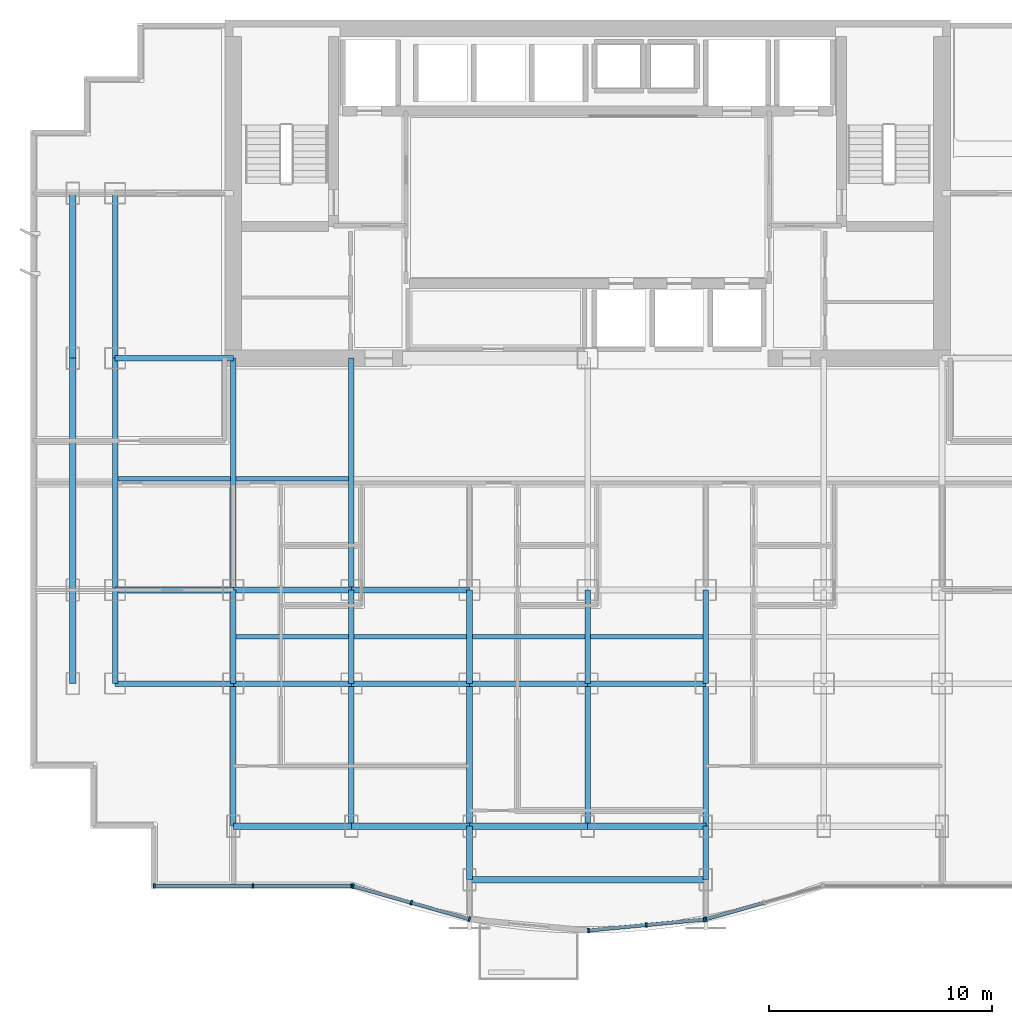
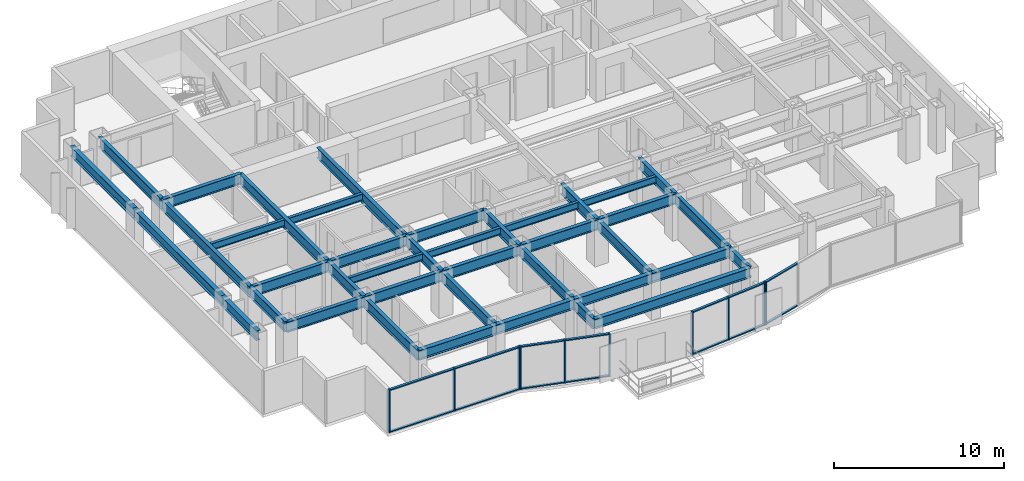
# One storey, part 2 of 9: 40 beams, 24 members, 4 elements without a shape of their own.
"""IFC4 building model written with IfcOpenShell, lengths in metres."""

from ifc_helpers import new_model, si_unit, direction, frame, origin, origin_2d, place, context, subcontext, project, spatial, rectangle, i_section, extrude, source, transform, mapped, material, layer, layer_set, material_profile, profile_set, type_object, element, aggregate, save


model = new_model("IFC4")

# Units and contexts
model_context = context("Model", 3, precision=1e-05, world=origin(), true_north=direction((0.0, 1.0)))
body_context = subcontext(model_context, "Body", "Model", "MODEL_VIEW")
ifc_project = project(units=[si_unit("LENGTHUNIT", "METRE"), si_unit("AREAUNIT", "SQUARE_METRE"), si_unit("VOLUMEUNIT", "CUBIC_METRE"), si_unit("PLANEANGLEUNIT", "RADIAN"), si_unit("MASSUNIT", "GRAM", prefix="KILO")], contexts=[model_context])

# Site, building, storey
site_placement = place(None, origin())
site = spatial("IfcSite", under=ifc_project, at=site_placement, CompositionType="ELEMENT")
building_placement = place(site_placement, origin())
building = spatial("IfcBuilding", under=site, at=building_placement, Name="Qianlan Lanfeng Residences", CompositionType="ELEMENT")
storey_placement = place(building_placement, frame((0.0, 0.0, 108.10009765625)))
storey = spatial("IfcBuildingStorey", under=building, at=storey_placement, Name="L29", CompositionType="ELEMENT", Elevation=108.10009765625)

# Beams
ifc_material_1 = material(Name="Steel SN490B", Category="steel")
ifc_material_profile_1 = material_profile(ifc_material_1, i_section(OverallWidth=0.25, OverallDepth=0.75, WebThickness=0.013916015625, FlangeThickness=0.02490234375, at=origin_2d()), Name="H 750x250x14x25")
ifc_profile_set_1 = profile_set([ifc_material_profile_1], Name="Steel SN490B")
beam_type_1 = type_object("IfcBeamType", Name="G-850", PredefinedType="BEAM", material=ifc_profile_set_1)
beam_1_placement = place(storey_placement, frame((5.300048828125, 10.60009765625, 2.71484375), z_axis=(1.0, 0.0, 0.0), x_axis=(0.0, 1.0, 0.0)))
element("IfcBeam", 1, at=beam_1_placement, inside=storey, type_object=beam_type_1, Name="Structural beam G-850", PredefinedType="BEAM", context=body_context, shape_type="SweptSolid", body=[
    extrude(i_section(OverallWidth=0.25, OverallDepth=0.75, WebThickness=0.013916015625, FlangeThickness=0.02490234375, at=origin_2d()), origin(), (0.0, 0.0, 1.0), 5.300048828125),
])
beam_2_placement = place(storey_placement, frame((10.60009765625, 10.60009765625, 2.71484375), z_axis=(1.0, 0.0, 0.0), x_axis=(0.0, 1.0, 0.0)))
element("IfcBeam", 2, at=beam_2_placement, inside=storey, type_object=beam_type_1, Name="Structural beam G-850", PredefinedType="BEAM", context=body_context, shape_type="SweptSolid", body=[
    extrude(i_section(OverallWidth=0.25, OverallDepth=0.75, WebThickness=0.013916015625, FlangeThickness=0.02490234375, at=origin_2d()), origin(), (0.0, 0.0, 1.0), 5.2998046875),
])
for number, where, z_axis, x_axis, name in (
    (3, (15.89990234375, 10.60009765625, 2.71484375), (1.0, 0.0, 0.0), (0.0, 1.0, 0.0), "Structural beam G-850"),
    (4, (21.199951171875, 10.60009765625, 2.71484375), (1.0, 0.0, 0.0), (0.0, 1.0, 0.0), "Structural beam G-850"),
    (5, (26.5, 10.60009765625, 2.71484375), (1.0, 0.0, 0.0), (0.0, 1.0, 0.0), "Structural beam G-850"),
    (6, (5.300048828125, 14.800048828125, 2.71484375), (1.0, 0.0, 0.0), (0.0, 1.0, 0.0), "Structural beam G-850"),
):
    element("IfcBeam", number, at=place(storey_placement, frame(where, z_axis=z_axis, x_axis=x_axis)), inside=storey, type_object=beam_type_1, Name=name, PredefinedType="BEAM", context=body_context, shape_type="SweptSolid", body=[
        extrude(i_section(OverallWidth=0.25, OverallDepth=0.75, WebThickness=0.013916015625, FlangeThickness=0.02490234375, at=origin_2d()), origin(), (0.0, 0.0, 1.0), 5.300048828125),
    ])
beam_3_placement = place(storey_placement, frame((10.60009765625, 14.800048828125, 2.71484375), z_axis=(1.0, 0.0, 0.0), x_axis=(0.0, 1.0, 0.0)))
element("IfcBeam", 7, at=beam_3_placement, inside=storey, type_object=beam_type_1, Name="Structural beam G-850", PredefinedType="BEAM", context=body_context, shape_type="SweptSolid", body=[
    extrude(i_section(OverallWidth=0.25, OverallDepth=0.75, WebThickness=0.013916015625, FlangeThickness=0.02490234375, at=origin_2d()), origin(), (0.0, 0.0, 1.0), 5.2998046875),
])
for number, where, z_axis, x_axis, name in (
    (8, (15.89990234375, 14.800048828125, 2.71484375), (1.0, 0.0, 0.0), (0.0, 1.0, 0.0), "Structural beam G-850"),
    (9, (5.300048828125, 25.199951171875, 2.71484375), (1.0, 0.0, 0.0), (0.0, 1.0, 0.0), "Structural beam G-850"),
):
    element("IfcBeam", number, at=place(storey_placement, frame(where, z_axis=z_axis, x_axis=x_axis)), inside=storey, type_object=beam_type_1, Name=name, PredefinedType="BEAM", context=body_context, shape_type="SweptSolid", body=[
        extrude(i_section(OverallWidth=0.25, OverallDepth=0.75, WebThickness=0.013916015625, FlangeThickness=0.02490234375, at=origin_2d()), origin(), (0.0, 0.0, 1.0), 5.300048828125),
    ])
beam_4_placement = place(storey_placement, frame((5.300048828125, 10.60009765625, 2.71484375), z_axis=(0.0, 1.0, 0.0), x_axis=(-1.0, 0.0, 0.0)))
element("IfcBeam", 10, at=beam_4_placement, inside=storey, type_object=beam_type_1, Name="Structural beam G-850", PredefinedType="BEAM", context=body_context, shape_type="SweptSolid", body=[
    extrude(i_section(OverallWidth=0.25, OverallDepth=0.75, WebThickness=0.013916015625, FlangeThickness=0.02490234375, at=origin_2d()), origin(), (0.0, 0.0, 1.0), 4.199951171875),
])
beam_5_placement = place(storey_placement, frame((5.300048828125, 14.800048828125, 2.71484375), z_axis=(0.0, 1.0, 0.0), x_axis=(-1.0, 0.0, 0.0)))
element("IfcBeam", 11, at=beam_5_placement, inside=storey, type_object=beam_type_1, Name="Structural beam G-850", PredefinedType="BEAM", context=body_context, shape_type="SweptSolid", body=[
    extrude(i_section(OverallWidth=0.25, OverallDepth=0.75, WebThickness=0.013916015625, FlangeThickness=0.02490234375, at=origin_2d()), origin(), (0.0, 0.0, 1.0), 10.39990234375),
])
beam_6_placement = place(storey_placement, frame((5.300048828125, 25.199951171875, 2.71484375), z_axis=(0.0, 1.0, 0.0), x_axis=(-1.0, 0.0, 0.0)))
element("IfcBeam", 12, at=beam_6_placement, inside=storey, type_object=beam_type_1, Name="Structural beam G-850", PredefinedType="BEAM", context=body_context, shape_type="SweptSolid", body=[
    extrude(i_section(OverallWidth=0.25, OverallDepth=0.75, WebThickness=0.013916015625, FlangeThickness=0.02490234375, at=origin_2d()), origin(), (0.0, 0.0, 1.0), 7.400146484375),
])
beam_7_placement = place(storey_placement, frame((10.60009765625, 4.199951171875, 2.71484375), z_axis=(0.0, 1.0, 0.0), x_axis=(-1.0, 0.0, 0.0)))
element("IfcBeam", 13, at=beam_7_placement, inside=storey, type_object=beam_type_1, Name="Structural beam G-850", PredefinedType="BEAM", context=body_context, shape_type="SweptSolid", body=[
    extrude(i_section(OverallWidth=0.25, OverallDepth=0.75, WebThickness=0.013916015625, FlangeThickness=0.02490234375, at=origin_2d()), origin(), (0.0, 0.0, 1.0), 6.400146484375),
])
beam_8_placement = place(storey_placement, frame((10.60009765625, 10.60009765625, 2.71484375), z_axis=(0.0, 1.0, 0.0), x_axis=(-1.0, 0.0, 0.0)))
element("IfcBeam", 14, at=beam_8_placement, inside=storey, type_object=beam_type_1, Name="Structural beam G-850", PredefinedType="BEAM", context=body_context, shape_type="SweptSolid", body=[
    extrude(i_section(OverallWidth=0.25, OverallDepth=0.75, WebThickness=0.013916015625, FlangeThickness=0.02490234375, at=origin_2d()), origin(), (0.0, 0.0, 1.0), 4.199951171875),
])
beam_9_placement = place(storey_placement, frame((10.60009765625, 14.800048828125, 2.71484375), z_axis=(0.0, 1.0, 0.0), x_axis=(-1.0, 0.0, 0.0)))
element("IfcBeam", 15, at=beam_9_placement, inside=storey, type_object=beam_type_1, Name="Structural beam G-850", PredefinedType="BEAM", context=body_context, shape_type="SweptSolid", body=[
    extrude(i_section(OverallWidth=0.25, OverallDepth=0.75, WebThickness=0.013916015625, FlangeThickness=0.02490234375, at=origin_2d()), origin(), (0.0, 0.0, 1.0), 10.39990234375),
])
beam_10_placement = place(storey_placement, frame((15.89990234375, 4.199951171875, 2.71484375), z_axis=(0.0, 1.0, 0.0), x_axis=(-1.0, 0.0, 0.0)))
element("IfcBeam", 16, at=beam_10_placement, inside=storey, type_object=beam_type_1, Name="Structural beam G-850", PredefinedType="BEAM", context=body_context, shape_type="SweptSolid", body=[
    extrude(i_section(OverallWidth=0.25, OverallDepth=0.75, WebThickness=0.013916015625, FlangeThickness=0.02490234375, at=origin_2d()), origin(), (0.0, 0.0, 1.0), 6.400146484375),
])
beam_11_placement = place(storey_placement, frame((15.89990234375, 10.60009765625, 2.71484375), z_axis=(0.0, 1.0, 0.0), x_axis=(-1.0, 0.0, 0.0)))
element("IfcBeam", 17, at=beam_11_placement, inside=storey, type_object=beam_type_1, Name="Structural beam G-850", PredefinedType="BEAM", context=body_context, shape_type="SweptSolid", body=[
    extrude(i_section(OverallWidth=0.25, OverallDepth=0.75, WebThickness=0.013916015625, FlangeThickness=0.02490234375, at=origin_2d()), origin(), (0.0, 0.0, 1.0), 4.199951171875),
])
beam_12_placement = place(storey_placement, frame((15.89990234375, 14.800048828125, 2.71484375), z_axis=(0.0, 1.0, 0.0), x_axis=(-1.0, 0.0, 0.0)))
element("IfcBeam", 18, at=beam_12_placement, inside=storey, type_object=beam_type_1, Name="Structural beam G-850", PredefinedType="BEAM", context=body_context, shape_type="SweptSolid", body=[
    extrude(i_section(OverallWidth=0.25, OverallDepth=0.75, WebThickness=0.013916015625, FlangeThickness=0.02490234375, at=origin_2d()), origin(), (0.0, 0.0, 1.0), 10.39990234375),
])
beam_13_placement = place(storey_placement, frame((21.199951171875, 1.800048828125, 2.71484375), z_axis=(0.0, 1.0, 0.0), x_axis=(-1.0, 0.0, 0.0)))
element("IfcBeam", 19, at=beam_13_placement, inside=storey, type_object=beam_type_1, Name="Structural beam G-850", PredefinedType="BEAM", context=body_context, shape_type="SweptSolid", body=[
    extrude(i_section(OverallWidth=0.25, OverallDepth=0.75, WebThickness=0.013916015625, FlangeThickness=0.02490234375, at=origin_2d()), origin(), (0.0, 0.0, 1.0), 2.39990234375),
])
beam_14_placement = place(storey_placement, frame((21.199951171875, 4.199951171875, 2.71484375), z_axis=(0.0, 1.0, 0.0), x_axis=(-1.0, 0.0, 0.0)))
element("IfcBeam", 20, at=beam_14_placement, inside=storey, type_object=beam_type_1, Name="Structural beam G-850", PredefinedType="BEAM", context=body_context, shape_type="SweptSolid", body=[
    extrude(i_section(OverallWidth=0.25, OverallDepth=0.75, WebThickness=0.013916015625, FlangeThickness=0.02490234375, at=origin_2d()), origin(), (0.0, 0.0, 1.0), 6.400146484375),
])
beam_15_placement = place(storey_placement, frame((21.199951171875, 10.60009765625, 2.71484375), z_axis=(0.0, 1.0, 0.0), x_axis=(-1.0, 0.0, 0.0)))
element("IfcBeam", 21, at=beam_15_placement, inside=storey, type_object=beam_type_1, Name="Structural beam G-850", PredefinedType="BEAM", context=body_context, shape_type="SweptSolid", body=[
    extrude(i_section(OverallWidth=0.25, OverallDepth=0.75, WebThickness=0.013916015625, FlangeThickness=0.02490234375, at=origin_2d()), origin(), (0.0, 0.0, 1.0), 4.199951171875),
])
beam_16_placement = place(storey_placement, frame((26.5, 4.199951171875, 2.71484375), z_axis=(0.0, 1.0, 0.0), x_axis=(-1.0, 0.0, 0.0)))
element("IfcBeam", 22, at=beam_16_placement, inside=storey, type_object=beam_type_1, Name="Structural beam G-850", PredefinedType="BEAM", context=body_context, shape_type="SweptSolid", body=[
    extrude(i_section(OverallWidth=0.25, OverallDepth=0.75, WebThickness=0.013916015625, FlangeThickness=0.02490234375, at=origin_2d()), origin(), (0.0, 0.0, 1.0), 6.400146484375),
])
beam_17_placement = place(storey_placement, frame((26.5, 10.60009765625, 2.71484375), z_axis=(0.0, 1.0, 0.0), x_axis=(-1.0, 0.0, 0.0)))
element("IfcBeam", 23, at=beam_17_placement, inside=storey, type_object=beam_type_1, Name="Structural beam G-850", PredefinedType="BEAM", context=body_context, shape_type="SweptSolid", body=[
    extrude(i_section(OverallWidth=0.25, OverallDepth=0.75, WebThickness=0.013916015625, FlangeThickness=0.02490234375, at=origin_2d()), origin(), (0.0, 0.0, 1.0), 4.199951171875),
])
beam_18_placement = place(storey_placement, frame((31.800048828125, 1.800048828125, 2.71484375), z_axis=(0.0, 1.0, 0.0), x_axis=(-1.0, 0.0, 0.0)))
element("IfcBeam", 24, at=beam_18_placement, inside=storey, type_object=beam_type_1, Name="Structural beam G-850", PredefinedType="BEAM", context=body_context, shape_type="SweptSolid", body=[
    extrude(i_section(OverallWidth=0.25, OverallDepth=0.75, WebThickness=0.013916015625, FlangeThickness=0.02490234375, at=origin_2d()), origin(), (0.0, 0.0, 1.0), 2.39990234375),
])
beam_19_placement = place(storey_placement, frame((31.800048828125, 4.199951171875, 2.71484375), z_axis=(0.0, 1.0, 0.0), x_axis=(-1.0, 0.0, 0.0)))
element("IfcBeam", 25, at=beam_19_placement, inside=storey, type_object=beam_type_1, Name="Structural beam G-850", PredefinedType="BEAM", context=body_context, shape_type="SweptSolid", body=[
    extrude(i_section(OverallWidth=0.25, OverallDepth=0.75, WebThickness=0.013916015625, FlangeThickness=0.02490234375, at=origin_2d()), origin(), (0.0, 0.0, 1.0), 6.400146484375),
])
beam_20_placement = place(storey_placement, frame((31.800048828125, 10.60009765625, 2.71484375), z_axis=(0.0, 1.0, 0.0), x_axis=(-1.0, 0.0, 0.0)))
element("IfcBeam", 26, at=beam_20_placement, inside=storey, type_object=beam_type_1, Name="Structural beam G-850", PredefinedType="BEAM", context=body_context, shape_type="SweptSolid", body=[
    extrude(i_section(OverallWidth=0.25, OverallDepth=0.75, WebThickness=0.013916015625, FlangeThickness=0.02490234375, at=origin_2d()), origin(), (0.0, 0.0, 1.0), 4.199951171875),
])
ifc_material_profile_2 = material_profile(ifc_material_1, i_section(OverallWidth=0.199951171875, OverallDepth=0.5, WebThickness=0.010009765625, FlangeThickness=0.01611328125, at=origin_2d()), Name="H 500x200x10x16")
ifc_profile_set_2 = profile_set([ifc_material_profile_2], Name="Steel SN490B")
beam_type_2 = type_object("IfcBeamType", Name="J-500", PredefinedType="JOIST", material=ifc_profile_set_2)
beam_21_placement = place(storey_placement, frame((10.72509765625, 12.699951171875, 2.83984375), z_axis=(1.0, 0.0, 0.0), x_axis=(0.0, 1.0, 0.0)))
element("IfcBeam", 27, at=beam_21_placement, inside=storey, type_object=beam_type_2, Name="Structural beam J-500", PredefinedType="JOIST", context=body_context, shape_type="SweptSolid", body=[
    extrude(i_section(OverallWidth=0.199951171875, OverallDepth=0.5, WebThickness=0.010009765625, FlangeThickness=0.01611328125, at=origin_2d()), origin(), (0.0, 0.0, 1.0), 5.0498046875),
])
for number, where, z_axis, x_axis, name in (
    (28, (16.02490234375, 12.699951171875, 2.83984375), (1.0, 0.0, 0.0), (0.0, 1.0, 0.0), "Structural beam J-500"),
    (29, (21.324951171875, 12.699951171875, 2.83984375), (1.0, 0.0, 0.0), (0.0, 1.0, 0.0), "Structural beam J-500"),
    (30, (26.625, 12.699951171875, 2.83984375), (1.0, 0.0, 0.0), (0.0, 1.0, 0.0), "Structural beam J-500"),
    (31, (5.425048828125, 19.800048828125, 2.83984375), (1.0, 0.0, 0.0), (0.0, 1.0, 0.0), "Structural beam J-500"),
):
    element("IfcBeam", number, at=place(storey_placement, frame(where, z_axis=z_axis, x_axis=x_axis)), inside=storey, type_object=beam_type_2, Name=name, PredefinedType="JOIST", context=body_context, shape_type="SweptSolid", body=[
        extrude(i_section(OverallWidth=0.199951171875, OverallDepth=0.5, WebThickness=0.010009765625, FlangeThickness=0.01611328125, at=origin_2d()), origin(), (0.0, 0.0, 1.0), 5.050048828125),
    ])
beam_22_placement = place(storey_placement, frame((10.72509765625, 19.800048828125, 2.83984375), z_axis=(1.0, 0.0, 0.0), x_axis=(0.0, 1.0, 0.0)))
element("IfcBeam", 32, at=beam_22_placement, inside=storey, type_object=beam_type_2, Name="Structural beam J-500", PredefinedType="JOIST", context=body_context, shape_type="SweptSolid", body=[
    extrude(i_section(OverallWidth=0.199951171875, OverallDepth=0.5, WebThickness=0.010009765625, FlangeThickness=0.01611328125, at=origin_2d()), origin(), (0.0, 0.0, 1.0), 5.0498046875),
])
ifc_material_profile_3 = material_profile(ifc_material_1, i_section(OverallWidth=0.300048828125, OverallDepth=0.699951171875, WebThickness=0.012939453125, FlangeThickness=0.02392578125, at=origin_2d()), Name="H 700x300x13x24")
ifc_profile_set_3 = profile_set([ifc_material_profile_3], Name="Steel SN490B")
beam_type_3 = type_object("IfcBeamType", Name="SG-750", PredefinedType="SPANDREL", material=ifc_profile_set_3)
beam_23_placement = place(storey_placement, frame((21.199951171875, 1.800048828125, 2.739990234375), z_axis=(1.0, 0.0, 0.0), x_axis=(0.0, 1.0, 0.0)))
element("IfcBeam", 33, at=beam_23_placement, inside=storey, type_object=beam_type_3, Name="Structural beam SG-750", PredefinedType="SPANDREL", context=body_context, shape_type="SweptSolid", body=[
    extrude(i_section(OverallWidth=0.300048828125, OverallDepth=0.699951171875, WebThickness=0.012939453125, FlangeThickness=0.02392578125, at=origin_2d()), origin(), (0.0, 0.0, 1.0), 10.60009765625),
])
beam_24_placement = place(storey_placement, frame((10.60009765625, 4.199951171875, 2.739990234375), z_axis=(1.0, 0.0, 0.0), x_axis=(0.0, 1.0, 0.0)))
element("IfcBeam", 34, at=beam_24_placement, inside=storey, type_object=beam_type_3, Name="Structural beam SG-750", PredefinedType="SPANDREL", context=body_context, shape_type="SweptSolid", body=[
    extrude(i_section(OverallWidth=0.300048828125, OverallDepth=0.699951171875, WebThickness=0.012939453125, FlangeThickness=0.02392578125, at=origin_2d()), origin(), (0.0, 0.0, 1.0), 5.2998046875),
])
for number, where, z_axis, x_axis, name in (
    (35, (15.89990234375, 4.199951171875, 2.739990234375), (1.0, 0.0, 0.0), (0.0, 1.0, 0.0), "Structural beam SG-750"),
    (36, (21.199951171875, 4.199951171875, 2.739990234375), (1.0, 0.0, 0.0), (0.0, 1.0, 0.0), "Structural beam SG-750"),
    (37, (26.5, 4.199951171875, 2.739990234375), (1.0, 0.0, 0.0), (0.0, 1.0, 0.0), "Structural beam SG-750"),
):
    element("IfcBeam", number, at=place(storey_placement, frame(where, z_axis=z_axis, x_axis=x_axis)), inside=storey, type_object=beam_type_3, Name=name, PredefinedType="SPANDREL", context=body_context, shape_type="SweptSolid", body=[
        extrude(i_section(OverallWidth=0.300048828125, OverallDepth=0.699951171875, WebThickness=0.012939453125, FlangeThickness=0.02392578125, at=origin_2d()), origin(), (0.0, 0.0, 1.0), 5.300048828125),
    ])
beam_25_placement = place(storey_placement, frame((3.39990234375, 10.60009765625, 2.739990234375), z_axis=(0.0, 1.0, 0.0), x_axis=(-1.0, 0.0, 0.0)))
element("IfcBeam", 38, at=beam_25_placement, inside=storey, type_object=beam_type_3, Name="Structural beam SG-750", PredefinedType="SPANDREL", context=body_context, shape_type="SweptSolid", body=[
    extrude(i_section(OverallWidth=0.300048828125, OverallDepth=0.699951171875, WebThickness=0.012939453125, FlangeThickness=0.02392578125, at=origin_2d()), origin(), (0.0, 0.0, 1.0), 4.199951171875),
])
beam_26_placement = place(storey_placement, frame((3.39990234375, 14.800048828125, 2.739990234375), z_axis=(0.0, 1.0, 0.0), x_axis=(-1.0, 0.0, 0.0)))
element("IfcBeam", 39, at=beam_26_placement, inside=storey, type_object=beam_type_3, Name="Structural beam SG-750", PredefinedType="SPANDREL", context=body_context, shape_type="SweptSolid", body=[
    extrude(i_section(OverallWidth=0.300048828125, OverallDepth=0.699951171875, WebThickness=0.012939453125, FlangeThickness=0.02392578125, at=origin_2d()), origin(), (0.0, 0.0, 1.0), 10.39990234375),
])
beam_27_placement = place(storey_placement, frame((3.39990234375, 25.199951171875, 2.739990234375), z_axis=(0.0, 1.0, 0.0), x_axis=(-1.0, 0.0, 0.0)))
element("IfcBeam", 40, at=beam_27_placement, inside=storey, type_object=beam_type_3, Name="Structural beam SG-750", PredefinedType="SPANDREL", context=body_context, shape_type="SweptSolid", body=[
    extrude(i_section(OverallWidth=0.300048828125, OverallDepth=0.699951171875, WebThickness=0.012939453125, FlangeThickness=0.02392578125, at=origin_2d()), origin(), (0.0, 0.0, 1.0), 7.400146484375),
])

# Curtain wall, members
ifc_material_2 = material(Name="Anodised Bronze Aluminium 6063-T6", Category="aluminium")
ifc_layer = layer(ifc_material_2, 0.219970703125)
ifc_layer_set = layer_set([ifc_layer], Name="Anodised Bronze Aluminium 6063-T6")
curtain_wall_type = type_object("IfcCurtainWallType", Name="CW-03", PredefinedType="NOTDEFINED", material=ifc_layer_set)
curtain_wall_1_placement = place(storey_placement, origin())
curtain_wall_1 = element("IfcCurtainWall", 41, at=curtain_wall_1_placement, inside=storey, type_object=curtain_wall_type, Name="L29 Unitised Curtain Wall CWR-L29-01 (CW-03)", PredefinedType="NOTDEFINED")
ifc_material_profile_4 = material_profile(ifc_material_2, rectangle(XDim=0.080078125, YDim=0.159912109375, at=origin_2d()), Name="ALU TRANSOM 80x160")
ifc_profile_set_4 = profile_set([ifc_material_profile_4], Name="Anodised Bronze Aluminium 6063-T6")
member_type_1 = type_object("IfcMemberType", Name="CWT-180", PredefinedType="USERDEFINED", material=ifc_profile_set_4)
shared_shape_1 = source(origin(), body_context, "Body", "SweptSolid", [
    extrude(rectangle(XDim=0.080078125, YDim=0.159912109375, at=origin_2d()), origin(), (0.0, 0.0, 1.0), 4.34033203125),
])
member_1_placement = place(storey_placement, frame((7.10009765625, 1.52001953125, 0.039794921875), z_axis=(1.0, 0.0, 0.0), x_axis=(0.0, 0.0, 1.0)))
member_1 = element("IfcMember", 42, at=member_1_placement, type_object=member_type_1, Name="CWR-L29-01 Transom 1-BOT", ObjectType="TRANSOM", PredefinedType="USERDEFINED", context=body_context, shape_type="MappedRepresentation", body=[
    mapped(shared_shape_1, transform((0.0, 0.0, 0.0), scale=1.0)),
])
member_2_placement = place(storey_placement, frame((7.10009765625, 1.52001953125, 3.0498046875), z_axis=(1.0, 0.0, 0.0), x_axis=(0.0, 0.0, 1.0)))
member_2 = element("IfcMember", 43, at=member_2_placement, type_object=member_type_1, Name="CWR-L29-01 Transom 1-TOP", ObjectType="TRANSOM", PredefinedType="USERDEFINED", context=body_context, shape_type="MappedRepresentation", body=[
    mapped(shared_shape_1, transform((0.0, 0.0, 0.0), scale=1.0)),
])
shared_shape_2 = source(origin(), body_context, "Body", "SweptSolid", [
    extrude(rectangle(XDim=0.080078125, YDim=0.159912109375, at=origin_2d()), origin(), (0.0, 0.0, 1.0), 4.340576171875),
])
member_3_placement = place(storey_placement, frame((11.5205078125, 1.52001953125, 0.039794921875), z_axis=(1.0, 0.0, 0.0), x_axis=(0.0, 0.0, 1.0)))
member_3 = element("IfcMember", 44, at=member_3_placement, type_object=member_type_1, Name="CWR-L29-01 Transom 2-BOT", ObjectType="TRANSOM", PredefinedType="USERDEFINED", context=body_context, shape_type="MappedRepresentation", body=[
    mapped(shared_shape_2, transform((0.0, 0.0, 0.0), scale=1.0)),
])
member_4_placement = place(storey_placement, frame((11.5205078125, 1.52001953125, 3.0498046875), z_axis=(1.0, 0.0, 0.0), x_axis=(0.0, 0.0, 1.0)))
member_4 = element("IfcMember", 45, at=member_4_placement, type_object=member_type_1, Name="CWR-L29-01 Transom 2-TOP", ObjectType="TRANSOM", PredefinedType="USERDEFINED", context=body_context, shape_type="MappedRepresentation", body=[
    mapped(shared_shape_2, transform((0.0, 0.0, 0.0), scale=1.0)),
])

curtain_wall_2_placement = place(storey_placement, origin())
curtain_wall_2 = element("IfcCurtainWall", 46, at=curtain_wall_2_placement, inside=storey, type_object=curtain_wall_type, Name="L29 Unitised Curtain Wall CWR-L29-02 (CW-03)", PredefinedType="NOTDEFINED")
shared_shape_3 = source(origin(), body_context, "Body", "SweptSolid", [
    extrude(rectangle(XDim=0.080078125, YDim=0.159912109375, at=origin_2d()), origin(), (0.0, 0.0, 1.0), 2.630126953125),
])
member_5_placement = place(storey_placement, frame((16.01806640625, 1.498291015625, 0.039794921875), z_axis=(0.961960587005, -0.273188266675, 0.0), x_axis=(0.0, 0.0, 1.0)))
member_5 = element("IfcMember", 47, at=member_5_placement, type_object=member_type_1, Name="CWR-L29-02 Transom 1-BOT", ObjectType="TRANSOM", PredefinedType="USERDEFINED", context=body_context, shape_type="MappedRepresentation", body=[
    mapped(shared_shape_3, transform((0.0, 0.0, 0.0), scale=1.0)),
])
member_6_placement = place(storey_placement, frame((16.01806640625, 1.498291015625, 3.0498046875), z_axis=(0.961960587005, -0.273188266675, 0.0), x_axis=(0.0, 0.0, 1.0)))
member_6 = element("IfcMember", 48, at=member_6_placement, type_object=member_type_1, Name="CWR-L29-02 Transom 1-TOP", ObjectType="TRANSOM", PredefinedType="USERDEFINED", context=body_context, shape_type="MappedRepresentation", body=[
    mapped(shared_shape_3, transform((0.0, 0.0, 0.0), scale=1.0)),
])
member_7_placement = place(storey_placement, frame((18.625, 0.758056640625, 0.039794921875), z_axis=(0.961984978242, -0.273102364758, 0.0), x_axis=(0.0, 0.0, 1.0)))
member_7 = element("IfcMember", 49, at=member_7_placement, type_object=member_type_1, Name="CWR-L29-02 Transom 2-BOT", ObjectType="TRANSOM", PredefinedType="USERDEFINED", context=body_context, shape_type="MappedRepresentation", body=[
    mapped(shared_shape_3, transform((0.0, 0.0, 0.0), scale=1.0)),
])
member_8_placement = place(storey_placement, frame((18.625, 0.758056640625, 3.0498046875), z_axis=(0.961984978242, -0.273102364758, 0.0), x_axis=(0.0, 0.0, 1.0)))
member_8 = element("IfcMember", 50, at=member_8_placement, type_object=member_type_1, Name="CWR-L29-02 Transom 2-TOP", ObjectType="TRANSOM", PredefinedType="USERDEFINED", context=body_context, shape_type="MappedRepresentation", body=[
    mapped(shared_shape_3, transform((0.0, 0.0, 0.0), scale=1.0)),
])

curtain_wall_3_placement = place(storey_placement, origin())
curtain_wall_3 = element("IfcCurtainWall", 51, at=curtain_wall_3_placement, inside=storey, type_object=curtain_wall_type, Name="L29 Unitised Curtain Wall CWR-L29-04 (CW-03)", PredefinedType="NOTDEFINED")
member_9_placement = place(storey_placement, frame((31.844970703125, 0.039794921875, 0.039794921875), z_axis=(0.961984978242, 0.273102364758, 0.0), x_axis=(0.0, 0.0, 1.0)))
member_9 = element("IfcMember", 52, at=member_9_placement, type_object=member_type_1, Name="CWR-L29-04 Transom 1-BOT", ObjectType="TRANSOM", PredefinedType="USERDEFINED", context=body_context, shape_type="MappedRepresentation", body=[
    mapped(shared_shape_3, transform((0.0, 0.0, 0.0), scale=1.0)),
])
member_10_placement = place(storey_placement, frame((31.844970703125, 0.039794921875, 3.0498046875), z_axis=(0.961984978242, 0.273102364758, 0.0), x_axis=(0.0, 0.0, 1.0)))
member_10 = element("IfcMember", 53, at=member_10_placement, type_object=member_type_1, Name="CWR-L29-04 Transom 1-TOP", ObjectType="TRANSOM", PredefinedType="USERDEFINED", context=body_context, shape_type="MappedRepresentation", body=[
    mapped(shared_shape_3, transform((0.0, 0.0, 0.0), scale=1.0)),
])

curtain_wall_4_placement = place(storey_placement, origin())
curtain_wall_4 = element("IfcCurtainWall", 54, at=curtain_wall_4_placement, inside=storey, type_object=curtain_wall_type, Name="L29 Unitised Curtain Wall CWR-L29-03 (CW-03)", PredefinedType="NOTDEFINED")
shared_shape_4 = source(origin(), body_context, "Body", "SweptSolid", [
    extrude(rectangle(XDim=0.080078125, YDim=0.159912109375, at=origin_2d()), origin(), (0.0, 0.0, 1.0), 2.52587890625),
])
member_11_placement = place(storey_placement, frame((29.173828125, -0.227294921875, 0.039794921875), z_axis=(0.995558673677, 0.094143121181, 0.0), x_axis=(0.0, 0.0, 1.0)))
member_11 = element("IfcMember", 55, at=member_11_placement, type_object=member_type_1, Name="CWR-L29-03 Transom 2-BOT", ObjectType="TRANSOM", PredefinedType="USERDEFINED", context=body_context, shape_type="MappedRepresentation", body=[
    mapped(shared_shape_4, transform((0.0, 0.0, 0.0), scale=1.0)),
])
member_12_placement = place(storey_placement, frame((29.173828125, -0.227294921875, 3.0498046875), z_axis=(0.995558673677, 0.094143121181, 0.0), x_axis=(0.0, 0.0, 1.0)))
member_12 = element("IfcMember", 56, at=member_12_placement, type_object=member_type_1, Name="CWR-L29-03 Transom 2-TOP", ObjectType="TRANSOM", PredefinedType="USERDEFINED", context=body_context, shape_type="MappedRepresentation", body=[
    mapped(shared_shape_4, transform((0.0, 0.0, 0.0), scale=1.0)),
])
shared_shape_5 = source(origin(), body_context, "Body", "SweptSolid", [
    extrude(rectangle(XDim=0.080078125, YDim=0.159912109375, at=origin_2d()), origin(), (0.0, 0.0, 1.0), 2.525634765625),
])
member_13_placement = place(storey_placement, frame((26.57958984375, -0.472412109375, 0.039794921875), z_axis=(0.995566873206, 0.094056371262, 0.0), x_axis=(0.0, 0.0, 1.0)))
member_13 = element("IfcMember", 57, at=member_13_placement, type_object=member_type_1, Name="CWR-L29-03 Transom 1-BOT", ObjectType="TRANSOM", PredefinedType="USERDEFINED", context=body_context, shape_type="MappedRepresentation", body=[
    mapped(shared_shape_5, transform((0.0, 0.0, 0.0), scale=1.0)),
])
member_14_placement = place(storey_placement, frame((26.57958984375, -0.472412109375, 3.0498046875), z_axis=(0.995566873206, 0.094056371262, 0.0), x_axis=(0.0, 0.0, 1.0)))
member_14 = element("IfcMember", 58, at=member_14_placement, type_object=member_type_1, Name="CWR-L29-03 Transom 1-TOP", ObjectType="TRANSOM", PredefinedType="USERDEFINED", context=body_context, shape_type="MappedRepresentation", body=[
    mapped(shared_shape_5, transform((0.0, 0.0, 0.0), scale=1.0)),
])

# Member
ifc_material_profile_5 = material_profile(ifc_material_2, rectangle(XDim=0.080078125, YDim=0.2099609375, at=origin_2d()), Name="ALU MULLION 80x210")
ifc_profile_set_5 = profile_set([ifc_material_profile_5], Name="Anodised Bronze Aluminium 6063-T6")
member_type_2 = type_object("IfcMemberType", Name="CWM-220", PredefinedType="MULLION", material=ifc_profile_set_5)
shared_shape_6 = source(origin(), body_context, "Body", "SweptSolid", [
    extrude(rectangle(XDim=0.080078125, YDim=0.2099609375, at=origin_2d()), origin(), (0.0, 0.0, 1.0), 3.08984375),
])
member_15_placement = place(storey_placement, frame((7.06005859375, 1.52001953125, 0.0), z_axis=(0.0, 0.0, 1.0), x_axis=(1.0, 0.0, 0.0)))
member_15 = element("IfcMember", 59, at=member_15_placement, type_object=member_type_2, Name="CWR-L29-01 Mullion 1", PredefinedType="MULLION", context=body_context, shape_type="MappedRepresentation", body=[
    mapped(shared_shape_6, transform((0.0, 0.0, 0.0), scale=1.0)),
])

member_16_placement = place(storey_placement, frame((11.48046875, 1.52001953125, 0.0), z_axis=(0.0, 0.0, 1.0), x_axis=(1.0, 0.0, 0.0)))
member_16 = element("IfcMember", 60, at=member_16_placement, type_object=member_type_2, Name="CWR-L29-01 Mullion 2", PredefinedType="MULLION", context=body_context, shape_type="MappedRepresentation", body=[
    mapped(shared_shape_6, transform((0.0, 0.0, 0.0), scale=1.0)),
])

member_17_placement = place(storey_placement, frame((15.90087890625, 1.52001953125, 0.0), z_axis=(0.0, 0.0, 1.0), x_axis=(1.0, 0.0, 0.0)))
member_17 = element("IfcMember", 61, at=member_17_placement, type_object=member_type_2, Name="CWR-L29-01 Mullion 3", PredefinedType="MULLION", context=body_context, shape_type="MappedRepresentation", body=[
    mapped(shared_shape_6, transform((0.0, 0.0, 0.0), scale=1.0)),
])

aggregate(curtain_wall_1, [member_15, member_16, member_17, member_1, member_2, member_3, member_4])

member_18_placement = place(storey_placement, frame((15.9794921875, 1.509033203125, 0.0), z_axis=(0.0, 0.0, 1.0), x_axis=(0.961989074302, -0.273087936247, 0.0)))
member_18 = element("IfcMember", 62, at=member_18_placement, type_object=member_type_2, Name="CWR-L29-02 Mullion 1", PredefinedType="MULLION", context=body_context, shape_type="MappedRepresentation", body=[
    mapped(shared_shape_6, transform((0.0, 0.0, 0.0), scale=1.0)),
])

member_19_placement = place(storey_placement, frame((18.58642578125, 0.76904296875, 0.0), z_axis=(0.0, 0.0, 1.0), x_axis=(0.961989074302, -0.273087936247, 0.0)))
member_19 = element("IfcMember", 63, at=member_19_placement, type_object=member_type_2, Name="CWR-L29-02 Mullion 2", PredefinedType="MULLION", context=body_context, shape_type="MappedRepresentation", body=[
    mapped(shared_shape_6, transform((0.0, 0.0, 0.0), scale=1.0)),
])

member_20_placement = place(storey_placement, frame((21.193603515625, 0.02880859375, 0.0), z_axis=(0.0, 0.0, 1.0), x_axis=(0.961989074302, -0.273087936247, 0.0)))
member_20 = element("IfcMember", 64, at=member_20_placement, type_object=member_type_2, Name="CWR-L29-02 Mullion 3", PredefinedType="MULLION", context=body_context, shape_type="MappedRepresentation", body=[
    mapped(shared_shape_6, transform((0.0, 0.0, 0.0), scale=1.0)),
])

aggregate(curtain_wall_2, [member_18, member_19, member_20, member_5, member_6, member_7, member_8])

member_21_placement = place(storey_placement, frame((26.539794921875, -0.476318359375, 0.0), z_axis=(0.0, 0.0, 1.0), x_axis=(0.995561471839, 0.094113526067, 0.0)))
member_21 = element("IfcMember", 65, at=member_21_placement, type_object=member_type_2, Name="CWR-L29-03 Mullion 1", PredefinedType="MULLION", context=body_context, shape_type="MappedRepresentation", body=[
    mapped(shared_shape_6, transform((0.0, 0.0, 0.0), scale=1.0)),
])

member_22_placement = place(storey_placement, frame((29.134033203125, -0.23095703125, 0.0), z_axis=(0.0, 0.0, 1.0), x_axis=(0.995561471839, 0.094113526067, 0.0)))
member_22 = element("IfcMember", 66, at=member_22_placement, type_object=member_type_2, Name="CWR-L29-03 Mullion 2", PredefinedType="MULLION", context=body_context, shape_type="MappedRepresentation", body=[
    mapped(shared_shape_6, transform((0.0, 0.0, 0.0), scale=1.0)),
])

member_23_placement = place(storey_placement, frame((31.728271484375, 0.01416015625, 0.0), z_axis=(0.0, 0.0, 1.0), x_axis=(0.995561471839, 0.094113526067, 0.0)))
member_23 = element("IfcMember", 67, at=member_23_placement, type_object=member_type_2, Name="CWR-L29-03 Mullion 3", PredefinedType="MULLION", context=body_context, shape_type="MappedRepresentation", body=[
    mapped(shared_shape_6, transform((0.0, 0.0, 0.0), scale=1.0)),
])

aggregate(curtain_wall_4, [member_21, member_22, member_23, member_13, member_14, member_11, member_12])

member_24_placement = place(storey_placement, frame((31.806396484375, 0.02880859375, 0.0), z_axis=(0.0, 0.0, 1.0), x_axis=(0.961989074302, 0.273087936247, 0.0)))
member_24 = element("IfcMember", 68, at=member_24_placement, type_object=member_type_2, Name="CWR-L29-04 Mullion 1", PredefinedType="MULLION", context=body_context, shape_type="MappedRepresentation", body=[
    mapped(shared_shape_6, transform((0.0, 0.0, 0.0), scale=1.0)),
])

aggregate(curtain_wall_3, [member_24, member_9, member_10])

save(model, "model.ifc")
